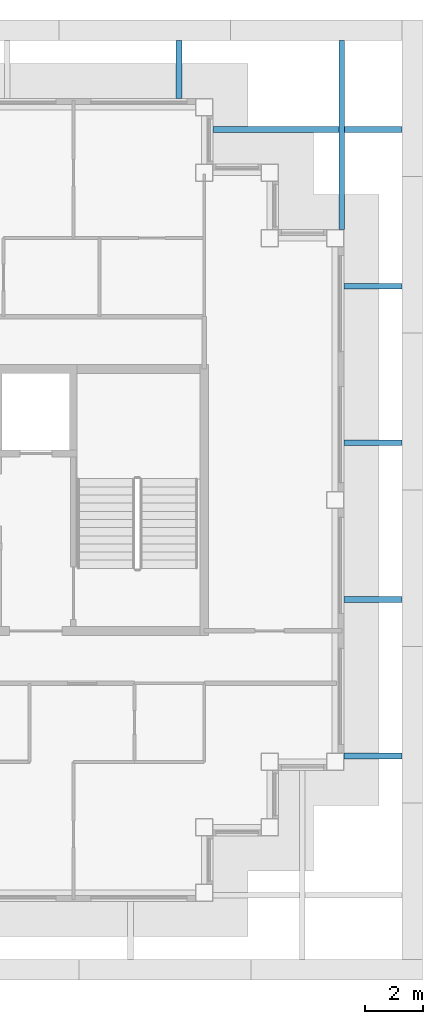
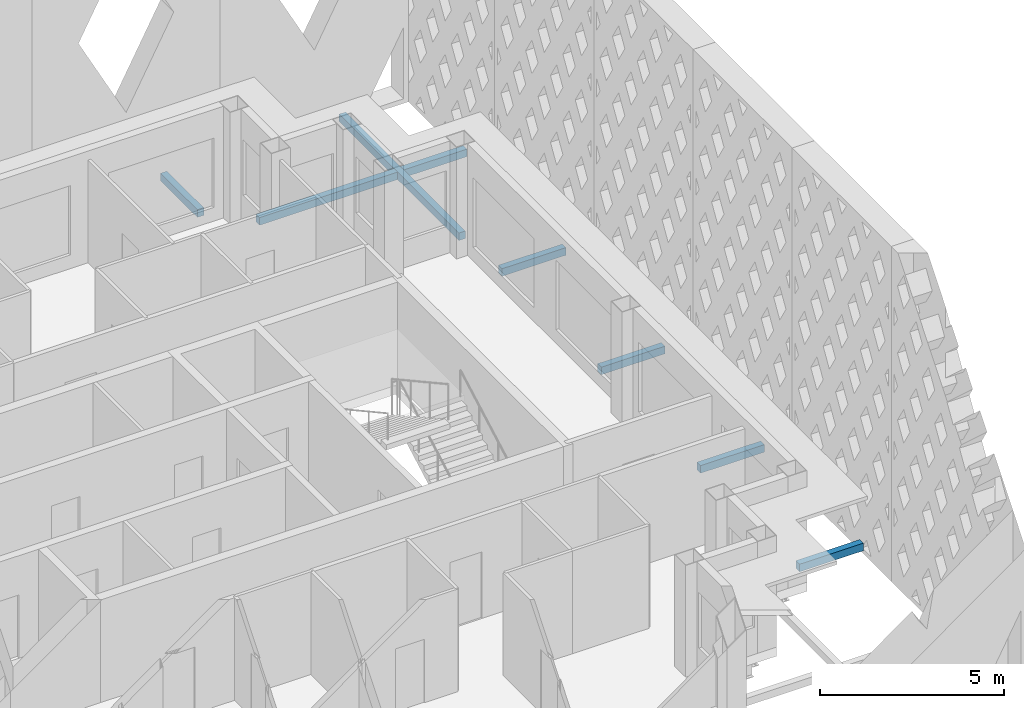
# One storey, part 6 of 13: 7 discrete accessories.
"""IFC4 building model written with IfcOpenShell, lengths in metres."""

from ifc_helpers import new_model, si_unit, direction, frame, origin, origin_2d, place, context, subcontext, project, spatial, rectangle, extrude, material, type_object, element, save


model = new_model("IFC4")

# Units and contexts
model_context = context("Model", 3, precision=1e-05, world=origin(), true_north=direction((0.0, 1.0)))
body_context = subcontext(model_context, "Body", "Model", "MODEL_VIEW")
ifc_project = project(units=[si_unit("LENGTHUNIT", "METRE"), si_unit("AREAUNIT", "SQUARE_METRE"), si_unit("VOLUMEUNIT", "CUBIC_METRE"), si_unit("PLANEANGLEUNIT", "RADIAN"), si_unit("MASSUNIT", "GRAM", prefix="KILO")], contexts=[model_context])

# Site, building, storey
site_placement = place(None, origin())
site = spatial("IfcSite", under=ifc_project, at=site_placement, CompositionType="ELEMENT")
building_placement = place(site_placement, origin())
building = spatial("IfcBuilding", under=site, at=building_placement, Name="Caravel Reach Hotel and Residences", CompositionType="ELEMENT")
storey_placement = place(building_placement, frame((0.0, 0.0, 294.5)))
storey = spatial("IfcBuildingStorey", under=building, at=storey_placement, Name="L75", CompositionType="ELEMENT", Elevation=294.5)

# Discrete accessories
ifc_material = material(Name="Black powder-coated aluminium", Category="aluminium")
discrete_accessory_type = type_object("IfcDiscreteAccessoryType", Name="BR1 Screen bracket", PredefinedType="BRACKET", material=ifc_material)
for number, where, z_axis, x_axis, name in (
    (1, (50.800048828125, 18.1982421875, 0.10009765625), (0.0, 0.0, 1.0), (1.0, 0.0, 0.0), "Screen bracket L75 1.2.1"),
    (2, (50.800048828125, 23.581787109375, 0.10009765625), (0.0, 0.0, 1.0), (1.0, 0.0, 0.0), "Screen bracket L75 1.3.1"),
    (3, (50.800048828125, 28.965087890625, 0.10009765625), (0.0, 0.0, 1.0), (1.0, 0.0, 0.0), "Screen bracket L75 1.4.1"),
    (4, (50.800048828125, 34.348388671875, 0.10009765625), (0.0, 0.0, 1.0), (1.0, 0.0, 0.0), "Screen bracket L75 1.5.1"),
):
    element("IfcDiscreteAccessory", number, at=place(storey_placement, frame(where, z_axis=z_axis, x_axis=x_axis)), inside=storey, type_object=discrete_accessory_type, Name=name, PredefinedType="BRACKET", context=body_context, shape_type="SweptSolid", body=[
        extrude(rectangle(XDim=2.0, YDim=0.199951171875, at=origin_2d()), origin(), (0.0, 0.0, 1.0), 0.25),
    ])
for number, where, z_axis, x_axis, name in (
    (5, (48.550048828125, 39.731689453125, 0.10009765625), (0.0, 0.0, 1.0), (1.0, 0.0, 0.0), "Screen bracket L75 1.6.1"),
    (6, (49.72998046875, 39.550048828125, 0.10009765625), (0.0, 0.0, 1.0), (0.0, 1.0, 0.0), "Screen bracket L75 2.1.1"),
):
    element("IfcDiscreteAccessory", number, at=place(storey_placement, frame(where, z_axis=z_axis, x_axis=x_axis)), inside=storey, type_object=discrete_accessory_type, Name=name, PredefinedType="BRACKET", context=body_context, shape_type="SweptSolid", body=[
        extrude(rectangle(XDim=6.5, YDim=0.199951171875, at=origin_2d()), origin(), (0.0, 0.0, 1.0), 0.25),
    ])
discrete_accessory_placement = place(storey_placement, frame((44.1298828125, 41.800048828125, 0.10009765625), z_axis=(0.0, 0.0, 1.0), x_axis=(0.0, 1.0, 0.0)))
element("IfcDiscreteAccessory", 7, at=discrete_accessory_placement, inside=storey, type_object=discrete_accessory_type, Name="Screen bracket L75 2.2.1", PredefinedType="BRACKET", context=body_context, shape_type="SweptSolid", body=[
    extrude(rectangle(XDim=2.0, YDim=0.199951171875, at=origin_2d()), origin(), (0.0, 0.0, 1.0), 0.25),
])

save(model, "model.ifc")
